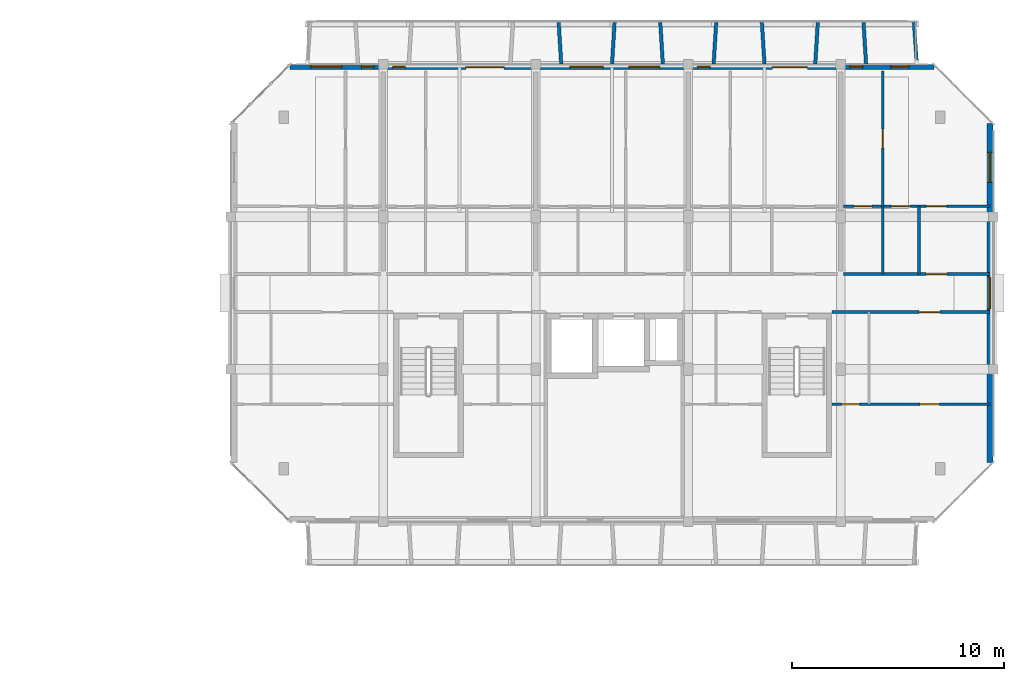
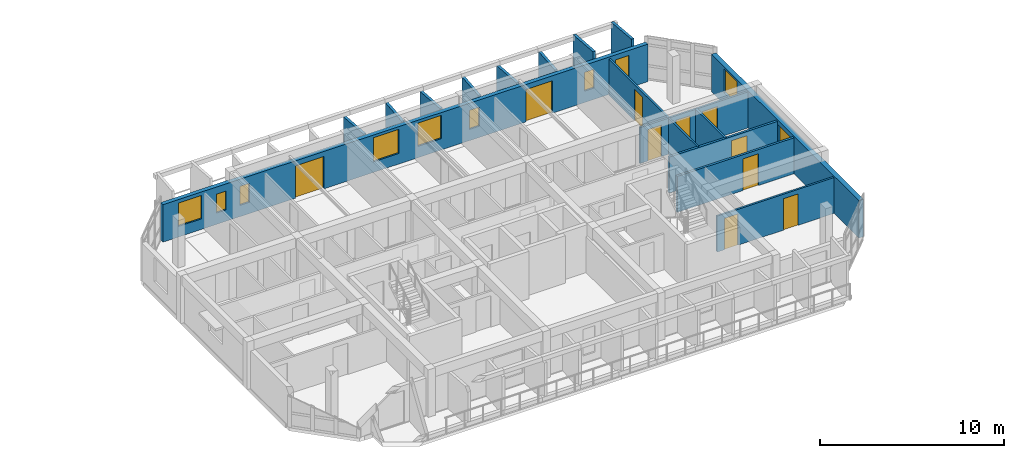
# One storey, part 31 of 43: 17 walls, 10 doors, 10 windows, 20 openings.
"""IFC4 building model written with IfcOpenShell, lengths in metres."""

from ifc_helpers import new_model, si_unit, direction, frame, frame_2d, origin, place, context, subcontext, project, spatial, rectangle, extrude, material, layer, layer_set, type_object, element, fill, save


model = new_model("IFC4")

# Units and contexts
model_context = context("Model", 3, precision=1e-05, world=origin(), true_north=direction((0.0, 1.0)))
body_context = subcontext(model_context, "Body", "Model", "MODEL_VIEW")
ifc_project = project(units=[si_unit("LENGTHUNIT", "METRE"), si_unit("AREAUNIT", "SQUARE_METRE"), si_unit("VOLUMEUNIT", "CUBIC_METRE"), si_unit("PLANEANGLEUNIT", "RADIAN"), si_unit("MASSUNIT", "GRAM", prefix="KILO")], contexts=[model_context])

# Site, building, storey
site_placement = place(None, origin())
site = spatial("IfcSite", under=ifc_project, at=site_placement, CompositionType="ELEMENT")
building_placement = place(site_placement, origin())
building = spatial("IfcBuilding", under=site, at=building_placement, Name="Ochrevale Crest", CompositionType="ELEMENT")
storey_placement = place(building_placement, frame((0.0, 0.0, 30.75)))
storey = spatial("IfcBuildingStorey", under=building, at=storey_placement, Name="L09", CompositionType="ELEMENT", Elevation=30.75)

# Wall, opening, door
ifc_material_1 = material(Name="Gypsum plasterboard", Category="gypsum")
ifc_layer_1 = layer(ifc_material_1, 0.139892578125)
ifc_layer_set_1 = layer_set([ifc_layer_1], Name="Gypsum plasterboard")
wall_type_1 = type_object("IfcWallType", Name="WL-COR-140", PredefinedType="PARTITIONING", material=ifc_layer_set_1)
wall_1_placement = place(storey_placement, frame((158.5400390625, 83.699951171875, 0.0), z_axis=(0.0, 0.0, 1.0), x_axis=(1.0, 0.0, 0.0)))
wall_1 = element("IfcWall", 1, at=wall_1_placement, inside=storey, type_object=wall_type_1, Name="Apartment D-L09-U5 corridor wall", PredefinedType="PARTITIONING", context=body_context, shape_type="SweptSolid", body=[
    extrude(rectangle(XDim=6.919921875, YDim=0.139892578125, at=frame_2d((3.4599609375, 0.0))), origin(), (0.0, 0.0, 1.0), 2.3798828125),
])
opening_1_placement = place(wall_1_placement, frame((3.89501953125, 0.0, 0.0)))
opening_1 = element("IfcOpeningElement", 2, at=opening_1_placement, cuts=wall_1, Name="Opening FD01", PredefinedType="OPENING", context=body_context, shape_type="SweptSolid", body=[
    extrude(rectangle(XDim=0.97998046875, YDim=2.10009765625, at=frame_2d((0.489990234375, 1.050048828125))), frame((0.0, 0.080078125, 0.0), z_axis=(0.0, -1.0, 0.0), x_axis=(1.0, 0.0, 0.0)), (0.0, 0.0, 1.0), 0.159912109375),
])
ifc_material_2 = material(Name="Solid-core FSC hardwood", Category="wood")
door_type_1 = type_object("IfcDoorType", Name="DR-APT-950", OperationType="NOTDEFINED", PredefinedType="DOOR", material=ifc_material_2)
door_1_placement = place(opening_1_placement, origin())
door_1 = element("IfcDoor", 3, at=door_1_placement, inside=storey, type_object=door_type_1, Name="Apartment D-L09-U5 entrance door", OperationType="SINGLE_SWING_LEFT", OverallHeight=2.10009765625, OverallWidth=0.97998046875, PredefinedType="DOOR", context=body_context, shape_type="SweptSolid", body=[
    extrude(rectangle(XDim=0.97998046875, YDim=2.10009765625, at=frame_2d((0.489990234375, 1.050048828125))), frame((0.0, 0.02490234375, 0.0), z_axis=(0.0, -1.0, 0.0), x_axis=(1.0, 0.0, 0.0)), (0.0, 0.0, 1.0), 0.050048828125),
])
fill(opening_1, door_1)

wall_2_placement = place(storey_placement, frame((157.989990234375, 81.89990234375, 0.0), z_axis=(0.0, 0.0, 1.0), x_axis=(1.0, 0.0, 0.0)))
wall_2 = element("IfcWall", 4, at=wall_2_placement, inside=storey, type_object=wall_type_1, Name="Suite D-L09-CE corridor wall", PredefinedType="PARTITIONING", context=body_context, shape_type="SweptSolid", body=[
    extrude(rectangle(XDim=7.469970703125, YDim=0.139892578125, at=frame_2d((3.73486328125, 0.0))), origin(), (0.0, 0.0, 1.0), 2.3798828125),
])
opening_2_placement = place(wall_2_placement, frame((4.1201171875, 0.0, 0.0)))
opening_2 = element("IfcOpeningElement", 5, at=opening_2_placement, cuts=wall_2, Name="Opening FD01", PredefinedType="OPENING", context=body_context, shape_type="SweptSolid", body=[
    extrude(rectangle(XDim=0.97998046875, YDim=2.10009765625, at=frame_2d((0.489990234375, 1.050048828125))), frame((0.0, 0.080078125, 0.0), z_axis=(0.0, -1.0, 0.0), x_axis=(1.0, 0.0, 0.0)), (0.0, 0.0, 1.0), 0.159912109375),
])
door_2_placement = place(opening_2_placement, origin())
door_2 = element("IfcDoor", 6, at=door_2_placement, inside=storey, type_object=door_type_1, Name="Suite D-L09-CE entrance door", OperationType="SINGLE_SWING_LEFT", OverallHeight=2.10009765625, OverallWidth=0.97998046875, PredefinedType="DOOR", context=body_context, shape_type="SweptSolid", body=[
    extrude(rectangle(XDim=0.97998046875, YDim=2.10009765625, at=frame_2d((0.489990234375, 1.050048828125))), frame((0.0, 0.02490234375, 0.0), z_axis=(0.0, -1.0, 0.0), x_axis=(1.0, 0.0, 0.0)), (0.0, 0.0, 1.0), 0.050048828125),
])
fill(opening_2, door_2)

# Wall, openings, windows
ifc_material_3 = material(Name="Clay face brickwork", Category="masonry")
ifc_layer_2 = layer(ifc_material_3, 0.2900390625)
ifc_layer_set_2 = layer_set([ifc_layer_2], Name="Clay face brickwork")
wall_type_2 = type_object("IfcWallType", Name="WL-EXT-BRICK-290", PredefinedType="SOLIDWALL", material=ifc_layer_set_2)
wall_3_placement = place(storey_placement, frame((165.455078125, 74.800048828125, 0.0), z_axis=(0.0, 0.0, 1.0), x_axis=(0.0, 1.0, 0.0)))
wall_3 = element("IfcWall", 7, at=wall_3_placement, inside=storey, type_object=wall_type_2, Name="Block D L09 external facade wall E3", PredefinedType="SOLIDWALL", context=body_context, shape_type="SweptSolid", body=[
    extrude(rectangle(XDim=16.0, YDim=0.2900390625, at=frame_2d((8.0, 0.0))), origin(), (0.0, 0.0, 1.0), 2.47998046875),
])
opening_3_placement = place(wall_3_placement, frame((7.25, 0.0, 1.050048828125)))
opening_3 = element("IfcOpeningElement", 8, at=opening_3_placement, cuts=wall_3, Name="Opening W18", PredefinedType="OPENING", context=body_context, shape_type="SweptSolid", body=[
    extrude(rectangle(XDim=1.5, YDim=1.14990234375, at=frame_2d((0.75, 0.574951171875))), frame((0.0, 0.155029296875, 0.0), z_axis=(0.0, -1.0, 0.0), x_axis=(1.0, 0.0, 0.0)), (0.0, 0.0, 1.0), 0.31005859375),
])
opening_4_placement = place(wall_3_placement, frame((13.22509765625, 0.0, 0.75)))
opening_4 = element("IfcOpeningElement", 9, at=opening_4_placement, cuts=wall_3, Name="Opening W31", PredefinedType="OPENING", context=body_context, shape_type="SweptSolid", body=[
    extrude(rectangle(XDim=1.419921875, YDim=1.60009765625, at=frame_2d((0.7099609375, 0.800048828125))), frame((0.0, 0.155029296875, 0.0), z_axis=(0.0, -1.0, 0.0), x_axis=(1.0, 0.0, 0.0)), (0.0, 0.0, 1.0), 0.31005859375),
])
ifc_material_4 = material(Name="Anodised aluminium 6063-T5 and low-E double glazing", Category="aluminium")
window_type_1 = type_object("IfcWindowType", Name="WIN-W18", PartitioningType="SINGLE_PANEL", PredefinedType="WINDOW", material=ifc_material_4)
window_1_placement = place(opening_3_placement, origin())
window_1 = element("IfcWindow", 10, at=window_1_placement, inside=storey, type_object=window_type_1, Name="Block D L09 corridor end daylight window E", OverallHeight=1.14990234375, OverallWidth=1.5, PartitioningType="SINGLE_PANEL", PredefinedType="WINDOW", context=body_context, shape_type="SweptSolid", body=[
    extrude(rectangle(XDim=1.5, YDim=1.14990234375, at=frame_2d((0.75, 0.574951171875))), frame((0.0, 0.030029296875, 0.0), z_axis=(0.0, -1.0, 0.0), x_axis=(1.0, 0.0, 0.0)), (0.0, 0.0, 1.0), 0.06005859375),
])
fill(opening_3, window_1)
window_type_2 = type_object("IfcWindowType", Name="WIN-W31", PartitioningType="SINGLE_PANEL", PredefinedType="WINDOW", material=ifc_material_4)
window_2_placement = place(opening_4_placement, origin())
window_2 = element("IfcWindow", 11, at=window_2_placement, inside=storey, type_object=window_type_2, Name="Block D L09 side suite window E", OverallHeight=1.60009765625, OverallWidth=1.419921875, PartitioningType="SINGLE_PANEL", PredefinedType="WINDOW", context=body_context, shape_type="SweptSolid", body=[
    extrude(rectangle(XDim=1.419921875, YDim=1.60009765625, at=frame_2d((0.7099609375, 0.800048828125))), frame((0.0, 0.030029296875, 0.0), z_axis=(0.0, -1.0, 0.0), x_axis=(1.0, 0.0, 0.0)), (0.0, 0.0, 1.0), 0.06005859375),
])
fill(opening_4, window_2)

# Wall, openings, doors, windows
ifc_material_5 = material(Name="Precast concrete C40/50", Category="concrete")
ifc_layer_3 = layer(ifc_material_5, 0.25)
ifc_layer_set_3 = layer_set([ifc_layer_3], Name="Precast concrete C40/50")
wall_type_3 = type_object("IfcWallType", Name="WL-EXT-GOLD-250", PredefinedType="SOLIDWALL", material=ifc_layer_set_3)
wall_4_placement = place(storey_placement, frame((162.800048828125, 93.47509765625, 0.0), z_axis=(0.0, 0.0, 1.0), x_axis=(-1.0, 0.0, 0.0)))
wall_4 = element("IfcWall", 12, at=wall_4_placement, inside=storey, type_object=wall_type_3, Name="Block D L09 external facade wall E5", PredefinedType="SOLIDWALL", context=body_context, shape_type="SweptSolid", body=[
    extrude(rectangle(XDim=30.400146484375, YDim=0.25, at=frame_2d((15.2001953125, 0.0))), origin(), (0.0, 0.0, 1.0), 2.47998046875),
])
opening_5_placement = place(wall_4_placement, frame((22.10009765625, 0.0, 0.0), z_axis=(0.0, 0.0, 1.0), x_axis=(-1.0, 0.0, 0.0)))
opening_5 = element("IfcOpeningElement", 13, at=opening_5_placement, cuts=wall_4, Name="Opening BD03", PredefinedType="OPENING", context=body_context, shape_type="SweptSolid", body=[
    extrude(rectangle(XDim=1.800048828125, YDim=2.14990234375, at=frame_2d((0.89990234375, 1.074951171875))), frame((0.0, 0.135009765625, 0.0), z_axis=(0.0, -1.0, 0.0), x_axis=(1.0, 0.0, 0.0)), (0.0, 0.0, 1.0), 0.27001953125),
])
opening_6_placement = place(wall_4_placement, frame((7.625, 0.0, 0.0), z_axis=(0.0, 0.0, 1.0), x_axis=(-1.0, 0.0, 0.0)))
opening_6 = element("IfcOpeningElement", 14, at=opening_6_placement, cuts=wall_4, Name="Opening BD02", PredefinedType="OPENING", context=body_context, shape_type="SweptSolid", body=[
    extrude(rectangle(XDim=1.64990234375, YDim=2.14990234375, at=frame_2d((0.824951171875, 1.074951171875))), frame((0.0, 0.135009765625, 0.0), z_axis=(0.0, -1.0, 0.0), x_axis=(1.0, 0.0, 0.0)), (0.0, 0.0, 1.0), 0.27001953125),
])
opening_7_placement = place(wall_4_placement, frame((27.969970703125, 0.0, 0.699951171875)))
opening_7 = element("IfcOpeningElement", 15, at=opening_7_placement, cuts=wall_4, Name="Opening W08", PredefinedType="OPENING", context=body_context, shape_type="SweptSolid", body=[
    extrude(rectangle(XDim=1.4599609375, YDim=1.550048828125, at=frame_2d((0.72998046875, 0.77490234375))), frame((0.0, 0.135009765625, 0.0), z_axis=(0.0, -1.0, 0.0), x_axis=(1.0, 0.0, 0.0)), (0.0, 0.0, 1.0), 0.27001953125),
])
opening_8_placement = place(wall_4_placement, frame((26.4326171875, 0.0, 0.75)))
opening_8 = element("IfcOpeningElement", 16, at=opening_8_placement, cuts=wall_4, Name="Opening W01", PredefinedType="OPENING", context=body_context, shape_type="SweptSolid", body=[
    extrude(rectangle(XDim=0.60009765625, YDim=1.25, at=frame_2d((0.300048828125, 0.625))), frame((0.0, 0.135009765625, 0.0), z_axis=(0.0, -1.0, 0.0), x_axis=(1.0, 0.0, 0.0)), (0.0, 0.0, 1.0), 0.27001953125),
])
opening_9_placement = place(wall_4_placement, frame((24.967529296875, 0.0, 0.75)))
opening_9 = element("IfcOpeningElement", 17, at=opening_9_placement, cuts=wall_4, Name="Opening W01", PredefinedType="OPENING", context=body_context, shape_type="SweptSolid", body=[
    extrude(rectangle(XDim=0.60009765625, YDim=1.25, at=frame_2d((0.300048828125, 0.625))), frame((0.0, 0.135009765625, 0.0), z_axis=(0.0, -1.0, 0.0), x_axis=(1.0, 0.0, 0.0)), (0.0, 0.0, 1.0), 0.27001953125),
])
opening_10_placement = place(wall_4_placement, frame((15.610107421875, 0.0, 0.699951171875)))
opening_10 = element("IfcOpeningElement", 18, at=opening_10_placement, cuts=wall_4, Name="Opening W09", PredefinedType="OPENING", context=body_context, shape_type="SweptSolid", body=[
    extrude(rectangle(XDim=1.580078125, YDim=1.60009765625, at=frame_2d((0.7900390625, 0.800048828125))), frame((0.0, 0.135009765625, 0.0), z_axis=(0.0, -1.0, 0.0), x_axis=(1.0, 0.0, 0.0)), (0.0, 0.0, 1.0), 0.27001953125),
])
opening_11_placement = place(wall_4_placement, frame((12.945068359375, 0.0, 0.75)))
opening_11 = element("IfcOpeningElement", 19, at=opening_11_placement, cuts=wall_4, Name="Opening W08", PredefinedType="OPENING", context=body_context, shape_type="SweptSolid", body=[
    extrude(rectangle(XDim=1.4599609375, YDim=1.550048828125, at=frame_2d((0.72998046875, 0.77490234375))), frame((0.0, 0.135009765625, 0.0), z_axis=(0.0, -1.0, 0.0), x_axis=(1.0, 0.0, 0.0)), (0.0, 0.0, 1.0), 0.27001953125),
])
opening_12_placement = place(wall_4_placement, frame((10.5673828125, 0.0, 0.75)))
opening_12 = element("IfcOpeningElement", 20, at=opening_12_placement, cuts=wall_4, Name="Opening W01", PredefinedType="OPENING", context=body_context, shape_type="SweptSolid", body=[
    extrude(rectangle(XDim=0.60009765625, YDim=1.25, at=frame_2d((0.300048828125, 0.625))), frame((0.0, 0.135009765625, 0.0), z_axis=(0.0, -1.0, 0.0), x_axis=(1.0, 0.0, 0.0)), (0.0, 0.0, 1.0), 0.27001953125),
])
opening_13_placement = place(wall_4_placement, frame((3.367431640625, 0.0, 0.75)))
opening_13 = element("IfcOpeningElement", 21, at=opening_13_placement, cuts=wall_4, Name="Opening W01", PredefinedType="OPENING", context=body_context, shape_type="SweptSolid", body=[
    extrude(rectangle(XDim=0.60009765625, YDim=1.25, at=frame_2d((0.300048828125, 0.625))), frame((0.0, 0.135009765625, 0.0), z_axis=(0.0, -1.0, 0.0), x_axis=(1.0, 0.0, 0.0)), (0.0, 0.0, 1.0), 0.27001953125),
])
opening_14_placement = place(wall_4_placement, frame((1.175048828125, 0.0, 0.75)))
opening_14 = element("IfcOpeningElement", 22, at=opening_14_placement, cuts=wall_4, Name="Opening W03", PredefinedType="OPENING", context=body_context, shape_type="SweptSolid", body=[
    extrude(rectangle(XDim=0.85009765625, YDim=1.39990234375, at=frame_2d((0.425048828125, 0.699951171875))), frame((0.0, 0.135009765625, 0.0), z_axis=(0.0, -1.0, 0.0), x_axis=(1.0, 0.0, 0.0)), (0.0, 0.0, 1.0), 0.27001953125),
])
ifc_material_6 = material(Name="Anodised aluminium 6063-T5 and toughened glass", Category="aluminium")
door_type_2 = type_object("IfcDoorType", Name="DR-BAL-1650", OperationType="NOTDEFINED", PredefinedType="DOOR", material=ifc_material_6)
door_3_placement = place(opening_6_placement, origin())
door_3 = element("IfcDoor", 23, at=door_3_placement, inside=storey, type_object=door_type_2, Name="Block D L09 balcony door N4", OperationType="SINGLE_SWING_RIGHT", OverallHeight=2.14990234375, OverallWidth=1.64990234375, PredefinedType="DOOR", context=body_context, shape_type="SweptSolid", body=[
    extrude(rectangle(XDim=1.64990234375, YDim=2.14990234375, at=frame_2d((0.824951171875, 1.074951171875))), frame((0.0, 0.02490234375, 0.0), z_axis=(0.0, -1.0, 0.0), x_axis=(1.0, 0.0, 0.0)), (0.0, 0.0, 1.0), 0.050048828125),
])
fill(opening_6, door_3)
door_type_3 = type_object("IfcDoorType", Name="DR-BAL-1800", OperationType="NOTDEFINED", PredefinedType="DOOR", material=ifc_material_6)
door_4_placement = place(opening_5_placement, origin())
door_4 = element("IfcDoor", 24, at=door_4_placement, inside=storey, type_object=door_type_3, Name="Block D L09 balcony door N2", OperationType="SINGLE_SWING_LEFT", OverallHeight=2.14990234375, OverallWidth=1.800048828125, PredefinedType="DOOR", context=body_context, shape_type="SweptSolid", body=[
    extrude(rectangle(XDim=1.800048828125, YDim=2.14990234375, at=frame_2d((0.89990234375, 1.074951171875))), frame((0.0, 0.02490234375, 0.0), z_axis=(0.0, -1.0, 0.0), x_axis=(1.0, 0.0, 0.0)), (0.0, 0.0, 1.0), 0.050048828125),
])
fill(opening_5, door_4)
window_type_3 = type_object("IfcWindowType", Name="WIN-W01", PartitioningType="SINGLE_PANEL", PredefinedType="WINDOW", material=ifc_material_4)
window_3_placement = place(opening_8_placement, origin())
window_3 = element("IfcWindow", 25, at=window_3_placement, inside=storey, type_object=window_type_3, Name="Block D L09 Apartment D-L09-U1 Two Bedroom Living Room window", OverallHeight=1.25, OverallWidth=0.60009765625, PartitioningType="SINGLE_PANEL", PredefinedType="WINDOW", context=body_context, shape_type="SweptSolid", body=[
    extrude(rectangle(XDim=0.60009765625, YDim=1.25, at=frame_2d((0.300048828125, 0.625))), frame((0.0, 0.030029296875, 0.0), z_axis=(0.0, -1.0, 0.0), x_axis=(1.0, 0.0, 0.0)), (0.0, 0.0, 1.0), 0.06005859375),
])
fill(opening_8, window_3)
window_4_placement = place(opening_9_placement, origin())
window_4 = element("IfcWindow", 26, at=window_4_placement, inside=storey, type_object=window_type_3, Name="Block D L09 Apartment D-L09-U2 Master Bedroom window", OverallHeight=1.25, OverallWidth=0.60009765625, PartitioningType="SINGLE_PANEL", PredefinedType="WINDOW", context=body_context, shape_type="SweptSolid", body=[
    extrude(rectangle(XDim=0.60009765625, YDim=1.25, at=frame_2d((0.300048828125, 0.625))), frame((0.0, 0.030029296875, 0.0), z_axis=(0.0, -1.0, 0.0), x_axis=(1.0, 0.0, 0.0)), (0.0, 0.0, 1.0), 0.06005859375),
])
fill(opening_9, window_4)
window_5_placement = place(opening_12_placement, origin())
window_5 = element("IfcWindow", 27, at=window_5_placement, inside=storey, type_object=window_type_3, Name="Block D L09 Apartment D-L09-U4 Double Bedroom window", OverallHeight=1.25, OverallWidth=0.60009765625, PartitioningType="SINGLE_PANEL", PredefinedType="WINDOW", context=body_context, shape_type="SweptSolid", body=[
    extrude(rectangle(XDim=0.60009765625, YDim=1.25, at=frame_2d((0.300048828125, 0.625))), frame((0.0, 0.030029296875, 0.0), z_axis=(0.0, -1.0, 0.0), x_axis=(1.0, 0.0, 0.0)), (0.0, 0.0, 1.0), 0.06005859375),
])
fill(opening_12, window_5)
window_6_placement = place(opening_13_placement, origin())
window_6 = element("IfcWindow", 28, at=window_6_placement, inside=storey, type_object=window_type_3, Name="Block D L09 Apartment D-L09-U5 Master Bedroom window", OverallHeight=1.25, OverallWidth=0.60009765625, PartitioningType="SINGLE_PANEL", PredefinedType="WINDOW", context=body_context, shape_type="SweptSolid", body=[
    extrude(rectangle(XDim=0.60009765625, YDim=1.25, at=frame_2d((0.300048828125, 0.625))), frame((0.0, 0.030029296875, 0.0), z_axis=(0.0, -1.0, 0.0), x_axis=(1.0, 0.0, 0.0)), (0.0, 0.0, 1.0), 0.06005859375),
])
fill(opening_13, window_6)
window_type_4 = type_object("IfcWindowType", Name="WIN-W03", PartitioningType="SINGLE_PANEL", PredefinedType="WINDOW", material=ifc_material_4)
window_7_placement = place(opening_14_placement, origin())
window_7 = element("IfcWindow", 29, at=window_7_placement, inside=storey, type_object=window_type_4, Name="Block D L09 Apartment D-L09-U5 One Bedroom Living Room window", OverallHeight=1.39990234375, OverallWidth=0.85009765625, PartitioningType="SINGLE_PANEL", PredefinedType="WINDOW", context=body_context, shape_type="SweptSolid", body=[
    extrude(rectangle(XDim=0.85009765625, YDim=1.39990234375, at=frame_2d((0.425048828125, 0.699951171875))), frame((0.0, 0.030029296875, 0.0), z_axis=(0.0, -1.0, 0.0), x_axis=(1.0, 0.0, 0.0)), (0.0, 0.0, 1.0), 0.06005859375),
])
fill(opening_14, window_7)
window_type_5 = type_object("IfcWindowType", Name="WIN-W08", PartitioningType="SINGLE_PANEL", PredefinedType="WINDOW", material=ifc_material_4)
window_8_placement = place(opening_7_placement, origin())
window_8 = element("IfcWindow", 30, at=window_8_placement, inside=storey, type_object=window_type_5, Name="Block D L09 Apartment D-L09-U1 Double Bedroom window", OverallHeight=1.550048828125, OverallWidth=1.4599609375, PartitioningType="SINGLE_PANEL", PredefinedType="WINDOW", context=body_context, shape_type="SweptSolid", body=[
    extrude(rectangle(XDim=1.4599609375, YDim=1.550048828125, at=frame_2d((0.72998046875, 0.77490234375))), frame((0.0, 0.030029296875, 0.0), z_axis=(0.0, -1.0, 0.0), x_axis=(1.0, 0.0, 0.0)), (0.0, 0.0, 1.0), 0.06005859375),
])
fill(opening_7, window_8)
window_9_placement = place(opening_11_placement, origin())
window_9 = element("IfcWindow", 31, at=window_9_placement, inside=storey, type_object=window_type_5, Name="Block D L09 Apartment D-L09-U3 Three Bedroom Family Living window", OverallHeight=1.550048828125, OverallWidth=1.4599609375, PartitioningType="SINGLE_PANEL", PredefinedType="WINDOW", context=body_context, shape_type="SweptSolid", body=[
    extrude(rectangle(XDim=1.4599609375, YDim=1.550048828125, at=frame_2d((0.72998046875, 0.77490234375))), frame((0.0, 0.030029296875, 0.0), z_axis=(0.0, -1.0, 0.0), x_axis=(1.0, 0.0, 0.0)), (0.0, 0.0, 1.0), 0.06005859375),
])
fill(opening_11, window_9)
window_type_6 = type_object("IfcWindowType", Name="WIN-W09", PartitioningType="SINGLE_PANEL", PredefinedType="WINDOW", material=ifc_material_4)
window_10_placement = place(opening_10_placement, origin())
window_10 = element("IfcWindow", 32, at=window_10_placement, inside=storey, type_object=window_type_6, Name="Block D L09 Apartment D-L09-U3 Twin Bedroom window", OverallHeight=1.60009765625, OverallWidth=1.580078125, PartitioningType="SINGLE_PANEL", PredefinedType="WINDOW", context=body_context, shape_type="SweptSolid", body=[
    extrude(rectangle(XDim=1.580078125, YDim=1.60009765625, at=frame_2d((0.7900390625, 0.800048828125))), frame((0.0, 0.030029296875, 0.0), z_axis=(0.0, -1.0, 0.0), x_axis=(1.0, 0.0, 0.0)), (0.0, 0.0, 1.0), 0.06005859375),
])
fill(opening_10, window_10)

# Walls
ifc_layer_4 = layer(ifc_material_5, 0.1650390625)
ifc_layer_set_4 = layer_set([ifc_layer_4], Name="Precast concrete C40/50")
wall_type_4 = type_object("IfcWallType", Name="WL-HC-CHEEK-165", PredefinedType="ELEMENTEDWALL", material=ifc_layer_set_4)
for number, where, z_axis, x_axis, name in (
    (33, (145.199951171875, 93.6201171875, 0.0), (0.0, 0.0, 1.0), (-0.061046865508, 0.998134900808, 0.0), "Block D L09 N precast honeycomb cheek 6"),
    (34, (147.60009765625, 93.6201171875, 0.0), (0.0, 0.0, 1.0), (0.061046865508, 0.998134900808, 0.0), "Block D L09 N precast honeycomb cheek 7"),
    (35, (150.0, 93.6201171875, 0.0), (0.0, 0.0, 1.0), (-0.061170732449, 0.998127317276, 0.0), "Block D L09 N precast honeycomb cheek 8"),
):
    element("IfcWall", number, at=place(storey_placement, frame(where, z_axis=z_axis, x_axis=x_axis)), inside=storey, type_object=wall_type_4, Name=name, PredefinedType="ELEMENTEDWALL", context=body_context, shape_type="SweptSolid", body=[
        extrude(rectangle(XDim=1.963623046875, YDim=0.1650390625, at=frame_2d((0.98193359375, 0.0))), origin(), (0.0, 0.0, 1.0), 2.550048828125),
    ])
for number, where, z_axis, x_axis, name in (
    (36, (152.39990234375, 93.6201171875, 0.0), (0.0, 0.0, 1.0), (0.061170732449, 0.998127317276, 0.0), "Block D L09 N precast honeycomb cheek 9"),
    (37, (154.800048828125, 93.6201171875, 0.0), (0.0, 0.0, 1.0), (-0.061170732449, 0.998127317276, 0.0), "Block D L09 N precast honeycomb cheek 10"),
    (38, (157.199951171875, 93.6201171875, 0.0), (0.0, 0.0, 1.0), (0.061170732449, 0.998127317276, 0.0), "Block D L09 N precast honeycomb cheek 11"),
):
    element("IfcWall", number, at=place(storey_placement, frame(where, z_axis=z_axis, x_axis=x_axis)), inside=storey, type_object=wall_type_4, Name=name, PredefinedType="ELEMENTEDWALL", context=body_context, shape_type="SweptSolid", body=[
        extrude(rectangle(XDim=1.963623046875, YDim=0.1650390625, at=frame_2d((0.98193359375, 0.0))), origin(), (0.0, 0.0, 1.0), 2.580078125),
    ])
wall_5_placement = place(storey_placement, frame((159.60009765625, 93.6201171875, 0.0), z_axis=(0.0, 0.0, 1.0), x_axis=(-0.061170732449, 0.998127317276, 0.0)))
element("IfcWall", 39, at=wall_5_placement, inside=storey, type_object=wall_type_4, Name="Block D L09 N precast honeycomb cheek 12", PredefinedType="ELEMENTEDWALL", context=body_context, shape_type="SweptSolid", body=[
    extrude(rectangle(XDim=1.963623046875, YDim=0.1650390625, at=frame_2d((0.98193359375, 0.0))), origin(), (0.0, 0.0, 1.0), 2.949951171875),
])
wall_6_placement = place(storey_placement, frame((162.0, 93.6201171875, 0.0), z_axis=(0.0, 0.0, 1.0), x_axis=(-0.071194071069, 0.997462482625, 0.0)))
element("IfcWall", 40, at=wall_6_placement, inside=storey, type_object=wall_type_4, Name="Block D L09 N precast honeycomb cheek 13", PredefinedType="ELEMENTEDWALL", context=body_context, shape_type="SweptSolid", body=[
    extrude(rectangle(XDim=1.96484375, YDim=0.1650390625, at=frame_2d((0.982421875, 0.0))), origin(), (0.0, 0.0, 1.0), 2.949951171875),
])
ifc_layer_5 = layer(ifc_material_1, 0.1201171875)
ifc_layer_set_5 = layer_set([ifc_layer_5], Name="Gypsum plasterboard")
wall_type_5 = type_object("IfcWallType", Name="WL-PART-120", PredefinedType="PARTITIONING", material=ifc_layer_set_5)
wall_7_placement = place(storey_placement, frame((162.10009765625, 83.699951171875, 0.0), z_axis=(0.0, 0.0, 1.0), x_axis=(0.0, 1.0, 0.0)))
element("IfcWall", 41, at=wall_7_placement, inside=storey, type_object=wall_type_5, Name="Apartment D-L09-U5 kitchen-foyer wall", PredefinedType="PARTITIONING", context=body_context, shape_type="SweptSolid", body=[
    extrude(rectangle(XDim=3.199951171875, YDim=0.1201171875, at=frame_2d((1.60009765625, 0.0))), origin(), (0.0, 0.0, 1.0), 2.3798828125),
])

# Wall, openings, doors
wall_8_placement = place(storey_placement, frame((158.5400390625, 86.89990234375, 0.0), z_axis=(0.0, 0.0, 1.0), x_axis=(1.0, 0.0, 0.0)))
wall_8 = element("IfcWall", 42, at=wall_8_placement, inside=storey, type_object=wall_type_5, Name="Apartment D-L09-U5 central partition", PredefinedType="PARTITIONING", context=body_context, shape_type="SweptSolid", body=[
    extrude(rectangle(XDim=6.919921875, YDim=0.1201171875, at=frame_2d((3.4599609375, 0.0))), origin(), (0.0, 0.0, 1.0), 2.3798828125),
])
opening_15_placement = place(wall_8_placement, frame((1.35009765625, 0.0, 0.0), z_axis=(0.0, 0.0, 1.0), x_axis=(-1.0, 0.0, 0.0)))
opening_15 = element("IfcOpeningElement", 43, at=opening_15_placement, cuts=wall_8, Name="Opening ID01", PredefinedType="OPENING", context=body_context, shape_type="SweptSolid", body=[
    extrude(rectangle(XDim=0.85009765625, YDim=2.080078125, at=frame_2d((0.425048828125, 1.0400390625))), frame((0.0, 0.070068359375, 0.0), z_axis=(0.0, -1.0, 0.0), x_axis=(1.0, 0.0, 0.0)), (0.0, 0.0, 1.0), 0.14013671875),
])
opening_16_placement = place(wall_8_placement, frame((2.2548828125, 0.0, 0.0)))
opening_16 = element("IfcOpeningElement", 44, at=opening_16_placement, cuts=wall_8, Name="Opening ID02", PredefinedType="OPENING", context=body_context, shape_type="SweptSolid", body=[
    extrude(rectangle(XDim=0.89990234375, YDim=2.080078125, at=frame_2d((0.449951171875, 1.0400390625))), frame((0.0, 0.070068359375, 0.0), z_axis=(0.0, -1.0, 0.0), x_axis=(1.0, 0.0, 0.0)), (0.0, 0.0, 1.0), 0.14013671875),
])
opening_17_placement = place(wall_8_placement, frame((4.85986328125, 0.0, 0.0), z_axis=(0.0, 0.0, 1.0), x_axis=(-1.0, 0.0, 0.0)))
opening_17 = element("IfcOpeningElement", 45, at=opening_17_placement, cuts=wall_8, Name="Opening ID06", PredefinedType="OPENING", context=body_context, shape_type="SweptSolid", body=[
    extrude(rectangle(XDim=0.949951171875, YDim=2.080078125, at=frame_2d((0.47509765625, 1.0400390625))), frame((0.0, 0.070068359375, 0.0), z_axis=(0.0, -1.0, 0.0), x_axis=(1.0, 0.0, 0.0)), (0.0, 0.0, 1.0), 0.14013671875),
])
door_type_4 = type_object("IfcDoorType", Name="DR-INT-900", OperationType="NOTDEFINED", PredefinedType="DOOR", material=ifc_material_2)
door_5_placement = place(opening_16_placement, origin())
door_5 = element("IfcDoor", 46, at=door_5_placement, inside=storey, type_object=door_type_4, Name="Apartment D-L09-U5 Kitchen door", OperationType="SINGLE_SWING_LEFT", OverallHeight=2.080078125, OverallWidth=0.89990234375, PredefinedType="DOOR", context=body_context, shape_type="SweptSolid", body=[
    extrude(rectangle(XDim=0.89990234375, YDim=2.080078125, at=frame_2d((0.449951171875, 1.0400390625))), frame((0.0, 0.02490234375, 0.0), z_axis=(0.0, -1.0, 0.0), x_axis=(1.0, 0.0, 0.0)), (0.0, 0.0, 1.0), 0.050048828125),
])
fill(opening_16, door_5)
door_type_5 = type_object("IfcDoorType", Name="DR-INT-950", OperationType="NOTDEFINED", PredefinedType="DOOR", material=ifc_material_2)
door_6_placement = place(opening_17_placement, origin())
door_6 = element("IfcDoor", 47, at=door_6_placement, inside=storey, type_object=door_type_5, Name="Apartment D-L09-U5 Living Foyer door", OperationType="SINGLE_SWING_RIGHT", OverallHeight=2.080078125, OverallWidth=0.949951171875, PredefinedType="DOOR", context=body_context, shape_type="SweptSolid", body=[
    extrude(rectangle(XDim=0.949951171875, YDim=2.080078125, at=frame_2d((0.47509765625, 1.0400390625))), frame((0.0, 0.02490234375, 0.0), z_axis=(0.0, -1.0, 0.0), x_axis=(1.0, 0.0, 0.0)), (0.0, 0.0, 1.0), 0.050048828125),
])
fill(opening_17, door_6)
door_type_6 = type_object("IfcDoorType", Name="DR-WC-850", OperationType="NOTDEFINED", PredefinedType="DOOR", material=ifc_material_2)
door_7_placement = place(opening_15_placement, origin())
door_7 = element("IfcDoor", 48, at=door_7_placement, inside=storey, type_object=door_type_6, Name="Apartment D-L09-U5 Bathroom door", OperationType="SINGLE_SWING_RIGHT", OverallHeight=2.080078125, OverallWidth=0.85009765625, PredefinedType="DOOR", context=body_context, shape_type="SweptSolid", body=[
    extrude(rectangle(XDim=0.85009765625, YDim=2.080078125, at=frame_2d((0.425048828125, 1.0400390625))), frame((0.0, 0.02490234375, 0.0), z_axis=(0.0, -1.0, 0.0), x_axis=(1.0, 0.0, 0.0)), (0.0, 0.0, 1.0), 0.050048828125),
])
fill(opening_15, door_7)

# Wall, opening, door
wall_9_placement = place(storey_placement, frame((160.389892578125, 86.89990234375, 0.0), z_axis=(0.0, 0.0, 1.0), x_axis=(0.0, 1.0, 0.0)))
wall_9 = element("IfcWall", 49, at=wall_9_placement, inside=storey, type_object=wall_type_5, Name="Apartment D-L09-U5 bedroom partition", PredefinedType="PARTITIONING", context=body_context, shape_type="SweptSolid", body=[
    extrude(rectangle(XDim=6.400146484375, YDim=0.1201171875, at=frame_2d((3.2001953125, 0.0))), origin(), (0.0, 0.0, 1.0), 2.3798828125),
])
opening_18_placement = place(wall_9_placement, frame((2.75, 0.0, 0.0)))
opening_18 = element("IfcOpeningElement", 50, at=opening_18_placement, cuts=wall_9, Name="Opening ID02", PredefinedType="OPENING", context=body_context, shape_type="SweptSolid", body=[
    extrude(rectangle(XDim=0.89990234375, YDim=2.080078125, at=frame_2d((0.449951171875, 1.0400390625))), frame((0.0, 0.070068359375, 0.0), z_axis=(0.0, -1.0, 0.0), x_axis=(1.0, 0.0, 0.0)), (0.0, 0.0, 1.0), 0.14013671875),
])
door_8_placement = place(opening_18_placement, origin())
door_8 = element("IfcDoor", 51, at=door_8_placement, inside=storey, type_object=door_type_4, Name="Apartment D-L09-U5 Master Bedroom door", OperationType="SINGLE_SWING_LEFT", OverallHeight=2.080078125, OverallWidth=0.89990234375, PredefinedType="DOOR", context=body_context, shape_type="SweptSolid", body=[
    extrude(rectangle(XDim=0.89990234375, YDim=2.080078125, at=frame_2d((0.449951171875, 1.0400390625))), frame((0.0, 0.02490234375, 0.0), z_axis=(0.0, -1.0, 0.0), x_axis=(1.0, 0.0, 0.0)), (0.0, 0.0, 1.0), 0.050048828125),
])
fill(opening_18, door_8)

# Wall, openings, doors
wall_10_placement = place(storey_placement, frame((157.989990234375, 77.550048828125, 0.0), z_axis=(0.0, 0.0, 1.0), x_axis=(1.0, 0.0, 0.0)))
wall_10 = element("IfcWall", 52, at=wall_10_placement, inside=storey, type_object=wall_type_5, Name="Suite D-L09-CE internal wall", PredefinedType="PARTITIONING", context=body_context, shape_type="SweptSolid", body=[
    extrude(rectangle(XDim=7.469970703125, YDim=0.1201171875, at=frame_2d((3.73486328125, 0.0))), origin(), (0.0, 0.0, 1.0), 2.3798828125),
])
opening_19_placement = place(wall_10_placement, frame((1.300048828125, 0.0, 0.0), z_axis=(0.0, 0.0, 1.0), x_axis=(-1.0, 0.0, 0.0)))
opening_19 = element("IfcOpeningElement", 53, at=opening_19_placement, cuts=wall_10, Name="Opening ID01", PredefinedType="OPENING", context=body_context, shape_type="SweptSolid", body=[
    extrude(rectangle(XDim=0.85009765625, YDim=2.080078125, at=frame_2d((0.425048828125, 1.0400390625))), frame((0.0, 0.070068359375, 0.0), z_axis=(0.0, -1.0, 0.0), x_axis=(1.0, 0.0, 0.0)), (0.0, 0.0, 1.0), 0.14013671875),
])
opening_20_placement = place(wall_10_placement, frame((4.14990234375, 0.0, 0.0)))
opening_20 = element("IfcOpeningElement", 54, at=opening_20_placement, cuts=wall_10, Name="Opening ID04", PredefinedType="OPENING", context=body_context, shape_type="SweptSolid", body=[
    extrude(rectangle(XDim=0.919921875, YDim=2.080078125, at=frame_2d((0.4599609375, 1.0400390625))), frame((0.0, 0.070068359375, 0.0), z_axis=(0.0, -1.0, 0.0), x_axis=(1.0, 0.0, 0.0)), (0.0, 0.0, 1.0), 0.14013671875),
])
door_type_7 = type_object("IfcDoorType", Name="DR-INT-920", OperationType="NOTDEFINED", PredefinedType="DOOR", material=ifc_material_2)
door_9_placement = place(opening_20_placement, origin())
door_9 = element("IfcDoor", 55, at=door_9_placement, inside=storey, type_object=door_type_7, Name="Suite D-L09-CE Master Bedroom door", OperationType="SINGLE_SWING_LEFT", OverallHeight=2.080078125, OverallWidth=0.919921875, PredefinedType="DOOR", context=body_context, shape_type="SweptSolid", body=[
    extrude(rectangle(XDim=0.919921875, YDim=2.080078125, at=frame_2d((0.4599609375, 1.0400390625))), frame((0.0, 0.02490234375, 0.0), z_axis=(0.0, -1.0, 0.0), x_axis=(1.0, 0.0, 0.0)), (0.0, 0.0, 1.0), 0.050048828125),
])
fill(opening_20, door_9)
door_10_placement = place(opening_19_placement, origin())
door_10 = element("IfcDoor", 56, at=door_10_placement, inside=storey, type_object=door_type_6, Name="Suite D-L09-CE Bathroom door", OperationType="SINGLE_SWING_RIGHT", OverallHeight=2.080078125, OverallWidth=0.85009765625, PredefinedType="DOOR", context=body_context, shape_type="SweptSolid", body=[
    extrude(rectangle(XDim=0.85009765625, YDim=2.080078125, at=frame_2d((0.425048828125, 1.0400390625))), frame((0.0, 0.02490234375, 0.0), z_axis=(0.0, -1.0, 0.0), x_axis=(1.0, 0.0, 0.0)), (0.0, 0.0, 1.0), 0.050048828125),
])
fill(opening_19, door_10)

# Wall
ifc_layer_6 = layer(ifc_material_1, 0.10009765625)
ifc_layer_set_6 = layer_set([ifc_layer_6], Name="Gypsum plasterboard")
wall_type_6 = type_object("IfcWallType", Name="WL-WET-100", PredefinedType="PARTITIONING", material=ifc_layer_set_6)
wall_11_placement = place(storey_placement, frame((160.389892578125, 83.699951171875, 0.0), z_axis=(0.0, 0.0, 1.0), x_axis=(0.0, 1.0, 0.0)))
element("IfcWall", 57, at=wall_11_placement, inside=storey, type_object=wall_type_6, Name="Apartment D-L09-U5 bath-kitchen wall", PredefinedType="PARTITIONING", context=body_context, shape_type="SweptSolid", body=[
    extrude(rectangle(XDim=3.199951171875, YDim=0.10009765625, at=frame_2d((1.60009765625, 0.0))), origin(), (0.0, 0.0, 1.0), 2.3798828125),
])

save(model, "model.ifc")
